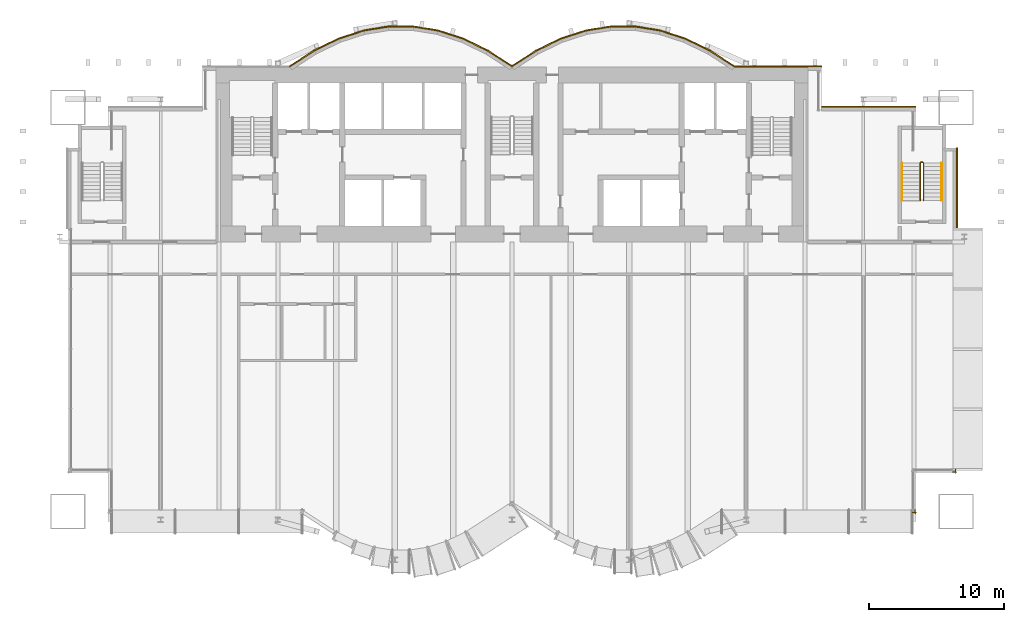
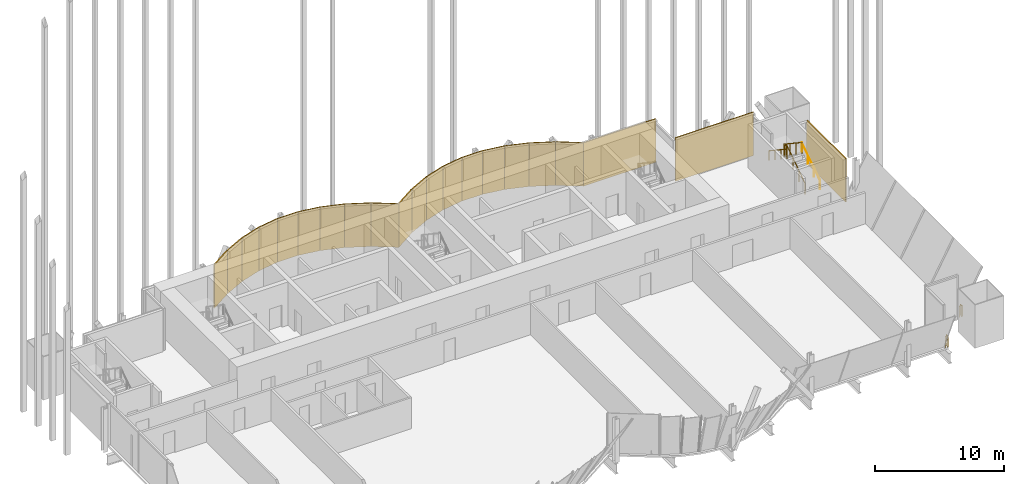
# One storey, part 33 of 33: 21 coverings, 5 railings.
"""IFC4 building model written with IfcOpenShell, lengths in metres."""

import ifcopenshell
import ifcopenshell.guid

model = None  # the IFC model being written
_history = None  # IfcOwnerHistory: only IFC2X3 demands one
_inside = {}  # id of a spatial element -> (the spatial element, [elements in it])
_under = {}  # id of a project, library or spatial element -> (it, [spatial elements below it])
_declared = {}  # id of a project -> (the project, [libraries it declares])
_typed = {}  # id of a type object -> (the type object, [elements of that type])
_made_of = {}  # id of a material, layer set ... -> (it, [elements and type objects made of it])


def new_model(schema):
    """Start an empty IFC model of exactly this schema.

    Asked for "IFC4X3", IfcOpenShell would pick the latest addendum, in which some entities
    have other attributes; the version numbers below select the first issue.
    IFC2X3 requires an IfcOwnerHistory on every rooted entity: one is made here for all.
    """
    global model, _history
    if schema == "IFC4X3":
        model = ifcopenshell.file(schema_version=(4, 3, 0, 0))
    else:
        model = ifcopenshell.file(schema=schema)
    _inside.clear()
    _under.clear()
    _declared.clear()
    _typed.clear()
    _made_of.clear()
    _history = None
    if model.schema == "IFC2X3":
        org = make("IfcOrganization", Name="unknown")
        user = make(
            "IfcPersonAndOrganization",
            ThePerson=make("IfcPerson", FamilyName="unknown"),
            TheOrganization=org,
        )
        app = make(
            "IfcApplication",
            ApplicationDeveloper=org,
            Version="unknown",
            ApplicationFullName="unknown",
            ApplicationIdentifier="unknown",
        )
        _history = make(
            "IfcOwnerHistory",
            OwningUser=user,
            OwningApplication=app,
            ChangeAction="ADDED",
            CreationDate=0,
        )
    return model


def make(cls, **values):
    """One entity of the class cls with the attributes given. An attribute that is None is left unset."""
    return model.create_entity(
        cls, **{name: value for name, value in values.items() if value is not None}
    )


def rooted(cls, **values):
    """An entity with a GlobalId (a new one), such as an element, a storey or a relation."""
    return make(cls, GlobalId=ifcopenshell.guid.new(), OwnerHistory=_history, **values)


def si_unit(unit_type, name, prefix=None):
    """IfcSIUnit, for example si_unit("LENGTHUNIT", "METRE", prefix="MILLI")."""
    return make("IfcSIUnit", UnitType=unit_type, Prefix=prefix, Name=name)


def assignment(units):
    """IfcUnitAssignment: the units of a project."""
    return None if units is None else make("IfcUnitAssignment", Units=units)


def point(xyz):
    """IfcCartesianPoint."""
    return None if xyz is None else make("IfcCartesianPoint", Coordinates=xyz)


def direction(xyz):
    """IfcDirection."""
    return None if xyz is None else make("IfcDirection", DirectionRatios=xyz)


def frame(location, z_axis=None, x_axis=None):
    """IfcAxis2Placement3D, a coordinate frame: its origin and axes. An axis left out is left unset."""
    return make(
        "IfcAxis2Placement3D",
        Location=point(location),
        Axis=direction(z_axis),
        RefDirection=direction(x_axis),
    )


def frame_2d(location, x_axis=None):
    """IfcAxis2Placement2D, a coordinate frame in the plane: its origin and x axis."""
    return make(
        "IfcAxis2Placement2D", Location=point(location), RefDirection=direction(x_axis)
    )


def origin():
    """The frame at (0, 0, 0) with its axes left unset."""
    return frame((0.0, 0.0, 0.0))


def origin_2d():
    """The frame at (0, 0) in the plane with its x axis left unset."""
    return frame_2d((0.0, 0.0))


def place(relative_to, where):
    """IfcLocalPlacement: puts the frame where relative to a parent placement (None: the world)."""
    return make(
        "IfcLocalPlacement", PlacementRelTo=relative_to, RelativePlacement=where
    )


def context(
    kind, dimensions, precision=None, world=None, true_north=None, identifier=None
):
    """IfcGeometricRepresentationContext, for example the 3D "Model" context."""
    return make(
        "IfcGeometricRepresentationContext",
        ContextIdentifier=identifier,
        ContextType=kind,
        CoordinateSpaceDimension=dimensions,
        Precision=precision,
        WorldCoordinateSystem=world,
        TrueNorth=true_north,
    )


def subcontext(parent, identifier, kind, view, scale=None):
    """IfcGeometricRepresentationSubContext, for example "Body" below "Model"."""
    return make(
        "IfcGeometricRepresentationSubContext",
        ContextIdentifier=identifier,
        ContextType=kind,
        ParentContext=parent,
        TargetScale=scale,
        TargetView=view,
    )


def project(units=None, contexts=None):
    """IfcProject with its units and contexts."""
    return rooted(
        "IfcProject",
        Name="project",
        RepresentationContexts=contexts,
        UnitsInContext=assignment(units),
    )


def spatial(cls, under=None, at=None, **own):
    """A site, building, storey or space (cls), placed at a placement, below another one or the project."""
    s = rooted(cls, ObjectPlacement=at, **own)
    if under is not None:
        _under.setdefault(under.id(), (under, []))[1].append(s)
    return s


def profile(cls, at=None, kind="AREA", **sizes):
    """A parametric profile (cls). Its sizes go by their IFC names, for example OverallWidth=200.0."""
    return make(cls, ProfileType=kind, Position=at, **sizes)


def rectangle(**sizes):
    """IfcRectangleProfileDef."""
    return profile("IfcRectangleProfileDef", **sizes)


def circle(**sizes):
    """IfcCircleProfileDef."""
    return profile("IfcCircleProfileDef", **sizes)


def extrude(swept, where, along, depth):
    """IfcExtrudedAreaSolid: the profile swept, set in the frame where, extruded along a direction by depth."""
    return make(
        "IfcExtrudedAreaSolid",
        SweptArea=swept,
        Position=where,
        ExtrudedDirection=direction(along),
        Depth=depth,
    )


def shape(context_of_items, identifier, shape_type, items):
    """IfcShapeRepresentation: the items that make up one representation, for example the "Body"."""
    return make(
        "IfcShapeRepresentation",
        ContextOfItems=context_of_items,
        RepresentationIdentifier=identifier,
        RepresentationType=shape_type,
        Items=items,
    )


def material(Name=None, Category=None):
    """IfcMaterial."""
    return make("IfcMaterial", Name=Name, Category=Category)


def layer(
    of_material, thickness, ventilated=None, Name=None, Category=None, Priority=None
):
    """IfcMaterialLayer: one layer of a wall or slab, of a material (None: an air gap)."""
    return make(
        "IfcMaterialLayer",
        Material=of_material,
        LayerThickness=thickness,
        IsVentilated=ventilated,
        Name=Name,
        Category=Category,
        Priority=Priority,
    )


def layer_set(layers, Name=None):
    """IfcMaterialLayerSet."""
    return make("IfcMaterialLayerSet", MaterialLayers=layers, LayerSetName=Name)


def made_of(thing, what):
    """Note that an element or type object is made of a material, layer set ...; save() writes the relation."""
    if what is not None:
        _made_of.setdefault(what.id(), (what, []))[1].append(thing)
    return thing


def type_object(cls, material=None, **own):
    """A type object (cls), such as IfcWallType, which elements share."""
    return made_of(rooted(cls, **own), material)


def element(
    cls,
    number,
    at=None,
    inside=None,
    cuts=None,
    type_object=None,
    material=None,
    context=None,
    identifier="Body",
    shape_type=None,
    held_by="IfcProductDefinitionShape",
    body=None,
    shapes=None,
    **own,
):
    """One element of the class cls, such as IfcWall. Its Tag is "e" and its number.

    at: its placement. inside: the storey or other place that contains it. cuts: it is an
    opening in that element (IfcRelVoidsElement). A single representation is given by context,
    identifier, shape_type and body (its items); several are given by shapes. held_by: the class
    of the entity that holds the representations. save() writes the other relations.
    """
    e = rooted(cls, Tag="e%d" % number, ObjectPlacement=at, **own)
    if body is not None:
        shapes = [shape(context, identifier, shape_type, body)]
    if shapes is not None:
        e.Representation = make(held_by, Representations=shapes)
    if inside is not None:
        _inside.setdefault(inside.id(), (inside, []))[1].append(e)
    if cuts is not None:
        rooted(
            "IfcRelVoidsElement", RelatingBuildingElement=cuts, RelatedOpeningElement=e
        )
    if type_object is not None:
        _typed.setdefault(type_object.id(), (type_object, []))[1].append(e)
    return made_of(e, material)


def aggregate(whole, parts):
    """IfcRelAggregates: a whole, such as a stair, and the parts it consists of."""
    return rooted("IfcRelAggregates", RelatingObject=whole, RelatedObjects=parts)


def save(model, path):
    """Write the relations noted so far, then the file.

    IfcRelAggregates (storeys below a building ...), IfcRelContainedInSpatialStructure (elements
    in a storey), IfcRelDefinesByType, IfcRelAssociatesMaterial and IfcRelDeclares: one each for
    every whole, place, type object, material and project.
    """
    for whole, parts in _under.values():
        aggregate(whole, parts)
    for where, things in _inside.values():
        rooted(
            "IfcRelContainedInSpatialStructure",
            RelatedElements=things,
            RelatingStructure=where,
        )
    for kind, things in _typed.values():
        rooted("IfcRelDefinesByType", RelatedObjects=things, RelatingType=kind)
    for what, things in _made_of.values():
        rooted("IfcRelAssociatesMaterial", RelatedObjects=things, RelatingMaterial=what)
    for by, libraries in _declared.values():
        rooted("IfcRelDeclares", RelatingContext=by, RelatedDefinitions=libraries)
    model.write(path)


model = new_model("IFC4")

# Units and contexts
model_context = context("Model", 3, precision=1e-05, world=origin(), true_north=direction((0.0, 1.0)))
body_context = subcontext(model_context, "Body", "Model", "MODEL_VIEW")
ifc_project = project(units=[si_unit("LENGTHUNIT", "METRE"), si_unit("AREAUNIT", "SQUARE_METRE"), si_unit("VOLUMEUNIT", "CUBIC_METRE"), si_unit("PLANEANGLEUNIT", "RADIAN"), si_unit("MASSUNIT", "GRAM", prefix="KILO")], contexts=[model_context])

# Site, building, storey
site_placement = place(None, origin())
site = spatial("IfcSite", under=ifc_project, at=site_placement, CompositionType="ELEMENT")
building_placement = place(site_placement, origin())
building = spatial("IfcBuilding", under=site, at=building_placement, Name="Bicima Exchange Tower", CompositionType="ELEMENT")
storey_placement = place(building_placement, frame((0.0, 0.0, 140.39990234375)))
storey = spatial("IfcBuildingStorey", under=building, at=storey_placement, Name="L30", CompositionType="ELEMENT", Elevation=140.39990234375)

# Coverings
ifc_material_1 = material(Name="Bronze metal cladding")
ifc_layer_1 = layer(ifc_material_1, 0.004)
ifc_material_2 = material(Name="Ventilated cavity")
ifc_layer_2 = layer(ifc_material_2, 0.06)
ifc_material_3 = material(Name="Galvanised steel rail and mineral wool", Category="steel")
ifc_layer_3 = layer(ifc_material_3, 0.036)
ifc_layer_set = layer_set([ifc_layer_1, ifc_layer_2, ifc_layer_3], Name="Ventilated cavity")
covering_type = type_object("IfcCoveringType", Name="Bronze metal cladding panel 100", PredefinedType="CLADDING", material=ifc_layer_set)
covering_1_placement = place(storey_placement, frame((33.050048828125, -9.0, -0.14990234375), z_axis=(0.0, 0.0, 1.0), x_axis=(0.0, 1.0, 0.0)))
element("IfcCovering", 1, at=covering_1_placement, inside=storey, type_object=covering_type, Name="Bronze cladding L30 2.1", PredefinedType="CLADDING", context=body_context, shape_type="SweptSolid", body=[
    extrude(rectangle(XDim=6.0, YDim=0.10009765625, at=origin_2d()), origin(), (0.0, 0.0, 1.0), 4.10009765625),
])
covering_2_placement = place(storey_placement, frame((26.5, -2.949951171875, -0.14990234375), z_axis=(0.0, 0.0, 1.0), x_axis=(-1.0, 0.0, 0.0)))
element("IfcCovering", 2, at=covering_2_placement, inside=storey, type_object=covering_type, Name="Bronze cladding L30 5.1", PredefinedType="CLADDING", context=body_context, shape_type="SweptSolid", body=[
    extrude(rectangle(XDim=7.0, YDim=0.10009765625, at=origin_2d()), origin(), (0.0, 0.0, 1.0), 4.10009765625),
])
covering_3_placement = place(storey_placement, frame((19.75, 0.050048828125, -0.14990234375), z_axis=(0.0, 0.0, 1.0), x_axis=(-1.0, 0.0, 0.0)))
element("IfcCovering", 3, at=covering_3_placement, inside=storey, type_object=covering_type, Name="Bronze cladding L30 7.1", PredefinedType="CLADDING", context=body_context, shape_type="SweptSolid", body=[
    extrude(rectangle(XDim=6.5, YDim=0.10009765625, at=origin_2d()), origin(), (0.0, 0.0, 1.0), 4.10009765625),
])
covering_4_placement = place(storey_placement, frame((15.610595703125, 0.634521484375, -0.14990234375), z_axis=(0.0, 0.0, 1.0), x_axis=(-0.839790466384, 0.542910648791, 0.0)))
element("IfcCovering", 4, at=covering_4_placement, inside=storey, type_object=covering_type, Name="Bronze cladding L30 8.1", PredefinedType="CLADDING", context=body_context, shape_type="SweptSolid", body=[
    extrude(rectangle(XDim=2.18310546875, YDim=0.10009765625, at=origin_2d()), origin(), (0.0, 0.0, 1.0), 4.10009765625),
])
covering_5_placement = place(storey_placement, frame((13.771728515625, 1.674560546875, -0.14990234375), z_axis=(0.0, 0.0, 1.0), x_axis=(-0.899818346812, 0.436264762204, 0.0)))
element("IfcCovering", 5, at=covering_5_placement, inside=storey, type_object=covering_type, Name="Bronze cladding L30 9.1", PredefinedType="CLADDING", context=body_context, shape_type="SweptSolid", body=[
    extrude(rectangle(XDim=2.03759765625, YDim=0.10009765625, at=origin_2d()), origin(), (0.0, 0.0, 1.0), 4.10009765625),
])
covering_6_placement = place(storey_placement, frame((11.931884765625, 2.41796875, -0.14990234375), z_axis=(0.0, 0.0, 1.0), x_axis=(-0.951524642381, 0.307572519808, 0.0)))
element("IfcCovering", 6, at=covering_6_placement, inside=storey, type_object=covering_type, Name="Bronze cladding L30 10.1", PredefinedType="CLADDING", context=body_context, shape_type="SweptSolid", body=[
    extrude(rectangle(XDim=1.9267578125, YDim=0.10009765625, at=origin_2d()), origin(), (0.0, 0.0, 1.0), 4.10009765625),
])
covering_7_placement = place(storey_placement, frame((10.09130859375, 2.8642578125, -0.14990234375), z_axis=(0.0, 0.0, 1.0), x_axis=(-0.987189786347, 0.159550386184, 0.0)))
element("IfcCovering", 7, at=covering_7_placement, inside=storey, type_object=covering_type, Name="Bronze cladding L30 11.1", PredefinedType="CLADDING", context=body_context, shape_type="SweptSolid", body=[
    extrude(rectangle(XDim=1.857177734375, YDim=0.10009765625, at=origin_2d()), origin(), (0.0, 0.0, 1.0), 4.10009765625),
])
covering_8_placement = place(storey_placement, frame((8.25, 3.012939453125, -0.14990234375), z_axis=(0.0, 0.0, 1.0), x_axis=(-1.0, 0.0, 0.0)))
element("IfcCovering", 8, at=covering_8_placement, inside=storey, type_object=covering_type, Name="Bronze cladding L30 12.1", PredefinedType="CLADDING", context=body_context, shape_type="SweptSolid", body=[
    extrude(rectangle(XDim=1.83349609375, YDim=0.10009765625, at=origin_2d()), origin(), (0.0, 0.0, 1.0), 4.10009765625),
])
covering_9_placement = place(storey_placement, frame((6.40869140625, 2.8642578125, -0.14990234375), z_axis=(0.0, 0.0, 1.0), x_axis=(-0.987189786347, -0.159550386184, 0.0)))
element("IfcCovering", 9, at=covering_9_placement, inside=storey, type_object=covering_type, Name="Bronze cladding L30 13.1", PredefinedType="CLADDING", context=body_context, shape_type="SweptSolid", body=[
    extrude(rectangle(XDim=1.857177734375, YDim=0.10009765625, at=origin_2d()), origin(), (0.0, 0.0, 1.0), 4.10009765625),
])
covering_10_placement = place(storey_placement, frame((4.568115234375, 2.41796875, -0.14990234375), z_axis=(0.0, 0.0, 1.0), x_axis=(-0.951524642381, -0.307572519808, 0.0)))
element("IfcCovering", 10, at=covering_10_placement, inside=storey, type_object=covering_type, Name="Bronze cladding L30 14.1", PredefinedType="CLADDING", context=body_context, shape_type="SweptSolid", body=[
    extrude(rectangle(XDim=1.9267578125, YDim=0.10009765625, at=origin_2d()), origin(), (0.0, 0.0, 1.0), 4.10009765625),
])
covering_11_placement = place(storey_placement, frame((2.728271484375, 1.674560546875, -0.14990234375), z_axis=(0.0, 0.0, 1.0), x_axis=(-0.899818346812, -0.436264762204, 0.0)))
element("IfcCovering", 11, at=covering_11_placement, inside=storey, type_object=covering_type, Name="Bronze cladding L30 15.1", PredefinedType="CLADDING", context=body_context, shape_type="SweptSolid", body=[
    extrude(rectangle(XDim=2.03759765625, YDim=0.10009765625, at=origin_2d()), origin(), (0.0, 0.0, 1.0), 4.10009765625),
])
for number, where, z_axis, x_axis, name in (
    (12, (0.889404296875, 0.634521484375, -0.14990234375), (0.0, 0.0, 1.0), (-0.839790466384, -0.542910648791, 0.0), "Bronze cladding L30 16.1"),
    (13, (-0.889404296875, 0.634521484375, -0.14990234375), (0.0, 0.0, 1.0), (-0.839790466384, 0.542910648791, 0.0), "Bronze cladding L30 17.1"),
):
    element("IfcCovering", number, at=place(storey_placement, frame(where, z_axis=z_axis, x_axis=x_axis)), inside=storey, type_object=covering_type, Name=name, PredefinedType="CLADDING", context=body_context, shape_type="SweptSolid", body=[
        extrude(rectangle(XDim=2.18310546875, YDim=0.10009765625, at=origin_2d()), origin(), (0.0, 0.0, 1.0), 4.10009765625),
    ])
covering_12_placement = place(storey_placement, frame((-2.728271484375, 1.674560546875, -0.14990234375), z_axis=(0.0, 0.0, 1.0), x_axis=(-0.899818346812, 0.436264762204, 0.0)))
element("IfcCovering", 14, at=covering_12_placement, inside=storey, type_object=covering_type, Name="Bronze cladding L30 18.1", PredefinedType="CLADDING", context=body_context, shape_type="SweptSolid", body=[
    extrude(rectangle(XDim=2.03759765625, YDim=0.10009765625, at=origin_2d()), origin(), (0.0, 0.0, 1.0), 4.10009765625),
])
covering_13_placement = place(storey_placement, frame((-4.568115234375, 2.41796875, -0.14990234375), z_axis=(0.0, 0.0, 1.0), x_axis=(-0.951524642381, 0.307572519808, 0.0)))
element("IfcCovering", 15, at=covering_13_placement, inside=storey, type_object=covering_type, Name="Bronze cladding L30 19.1", PredefinedType="CLADDING", context=body_context, shape_type="SweptSolid", body=[
    extrude(rectangle(XDim=1.9267578125, YDim=0.10009765625, at=origin_2d()), origin(), (0.0, 0.0, 1.0), 4.10009765625),
])
covering_14_placement = place(storey_placement, frame((-6.40869140625, 2.8642578125, -0.14990234375), z_axis=(0.0, 0.0, 1.0), x_axis=(-0.987189786347, 0.159550386184, 0.0)))
element("IfcCovering", 16, at=covering_14_placement, inside=storey, type_object=covering_type, Name="Bronze cladding L30 20.1", PredefinedType="CLADDING", context=body_context, shape_type="SweptSolid", body=[
    extrude(rectangle(XDim=1.857177734375, YDim=0.10009765625, at=origin_2d()), origin(), (0.0, 0.0, 1.0), 4.10009765625),
])
covering_15_placement = place(storey_placement, frame((-8.25, 3.012939453125, -0.14990234375), z_axis=(0.0, 0.0, 1.0), x_axis=(-1.0, 0.0, 0.0)))
element("IfcCovering", 17, at=covering_15_placement, inside=storey, type_object=covering_type, Name="Bronze cladding L30 21.1", PredefinedType="CLADDING", context=body_context, shape_type="SweptSolid", body=[
    extrude(rectangle(XDim=1.83349609375, YDim=0.10009765625, at=origin_2d()), origin(), (0.0, 0.0, 1.0), 4.10009765625),
])
covering_16_placement = place(storey_placement, frame((-10.09130859375, 2.8642578125, -0.14990234375), z_axis=(0.0, 0.0, 1.0), x_axis=(-0.987189786347, -0.159550386184, 0.0)))
element("IfcCovering", 18, at=covering_16_placement, inside=storey, type_object=covering_type, Name="Bronze cladding L30 22.1", PredefinedType="CLADDING", context=body_context, shape_type="SweptSolid", body=[
    extrude(rectangle(XDim=1.857177734375, YDim=0.10009765625, at=origin_2d()), origin(), (0.0, 0.0, 1.0), 4.10009765625),
])
covering_17_placement = place(storey_placement, frame((-11.931884765625, 2.41796875, -0.14990234375), z_axis=(0.0, 0.0, 1.0), x_axis=(-0.951524642381, -0.307572519808, 0.0)))
element("IfcCovering", 19, at=covering_17_placement, inside=storey, type_object=covering_type, Name="Bronze cladding L30 23.1", PredefinedType="CLADDING", context=body_context, shape_type="SweptSolid", body=[
    extrude(rectangle(XDim=1.9267578125, YDim=0.10009765625, at=origin_2d()), origin(), (0.0, 0.0, 1.0), 4.10009765625),
])
covering_18_placement = place(storey_placement, frame((-13.771728515625, 1.674560546875, -0.14990234375), z_axis=(0.0, 0.0, 1.0), x_axis=(-0.899818346812, -0.436264762204, 0.0)))
element("IfcCovering", 20, at=covering_18_placement, inside=storey, type_object=covering_type, Name="Bronze cladding L30 24.1", PredefinedType="CLADDING", context=body_context, shape_type="SweptSolid", body=[
    extrude(rectangle(XDim=2.03759765625, YDim=0.10009765625, at=origin_2d()), origin(), (0.0, 0.0, 1.0), 4.10009765625),
])
covering_19_placement = place(storey_placement, frame((-15.610595703125, 0.634521484375, -0.14990234375), z_axis=(0.0, 0.0, 1.0), x_axis=(-0.839790466384, -0.542910648791, 0.0)))
element("IfcCovering", 21, at=covering_19_placement, inside=storey, type_object=covering_type, Name="Bronze cladding L30 25.1", PredefinedType="CLADDING", context=body_context, shape_type="SweptSolid", body=[
    extrude(rectangle(XDim=2.18310546875, YDim=0.10009765625, at=origin_2d()), origin(), (0.0, 0.0, 1.0), 4.10009765625),
])

# Railings
ifc_material_4 = material(Name="Stainless steel and bonded safety glass", Category="steel")
railing_type_1 = type_object("IfcRailingType", Name="Edge guard 1100", PredefinedType="GUARDRAIL", material=ifc_material_4)
railing_1_placement = place(storey_placement, frame((29.949951171875, -32.89404296875, 0.0)))
element("IfcRailing", 22, at=railing_1_placement, inside=storey, type_object=railing_type_1, Name="Edge guard L30 145", PredefinedType="GUARDRAIL", context=body_context, shape_type="SweptSolid", body=[
    extrude(circle(Radius=0.02392578125, at=origin_2d()), frame((0.0, 0.0, 1.076171875), z_axis=(0.0, -1.0, 0.0), x_axis=(1.0, 0.0, 0.0)), (0.0, 0.0, 1.0), 0.25),
    extrude(circle(Radius=0.02392578125, at=origin_2d()), frame((0.0, -0.25, 1.076171875), z_axis=(0.707106781187, 0.707106781187, 0.0), x_axis=(-0.707106781187, 0.707106781187, 0.0)), (0.0, 0.0, 1.0), 0.07080078125),
    extrude(circle(Radius=0.02392578125, at=origin_2d()), frame((0.050048828125, -0.199951171875, 1.076171875), z_axis=(-1.0, 0.0, 0.0), x_axis=(0.0, -1.0, 0.0)), (0.0, 0.0, 1.0), 0.248046875),
    extrude(circle(Radius=0.02099609375, at=origin_2d()), origin(), (0.0, 0.0, 1.0), 1.052001953125),
    extrude(circle(Radius=0.02099609375, at=origin_2d()), frame((0.0, -0.25, 0.0)), (0.0, 0.0, 1.0), 1.052001953125),
    extrude(circle(Radius=0.02099609375, at=origin_2d()), frame((0.050048828125, -0.199951171875, 0.0)), (0.0, 0.0, 1.0), 1.052001953125),
    extrude(circle(Radius=0.02099609375, at=origin_2d()), frame((-0.197998046875, -0.199951171875, 0.0)), (0.0, 0.0, 1.0), 1.052001953125),
])
railing_2_placement = place(storey_placement, frame((32.949951171875, -29.89501953125, 0.0)))
element("IfcRailing", 23, at=railing_2_placement, inside=storey, type_object=railing_type_1, Name="Edge guard L30 148", PredefinedType="GUARDRAIL", context=body_context, shape_type="SweptSolid", body=[
    extrude(circle(Radius=0.02392578125, at=origin_2d()), frame((0.0, 0.0, 1.076171875), z_axis=(0.0, -1.0, 0.0), x_axis=(1.0, 0.0, 0.0)), (0.0, 0.0, 1.0), 0.2490234375),
    extrude(circle(Radius=0.02392578125, at=origin_2d()), frame((0.0, -0.2490234375, 1.076171875), z_axis=(0.707106781187, 0.707106781187, 0.0), x_axis=(-0.707106781187, 0.707106781187, 0.0)), (0.0, 0.0, 1.0), 0.07080078125),
    extrude(circle(Radius=0.02392578125, at=origin_2d()), frame((0.050048828125, -0.198974609375, 1.076171875), z_axis=(-1.0, 0.0, 0.0), x_axis=(0.0, -1.0, 0.0)), (0.0, 0.0, 1.0), 0.25),
    extrude(circle(Radius=0.02099609375, at=origin_2d()), origin(), (0.0, 0.0, 1.0), 1.052001953125),
    extrude(circle(Radius=0.02099609375, at=origin_2d()), frame((0.0, -0.2490234375, 0.0)), (0.0, 0.0, 1.0), 1.052001953125),
    extrude(circle(Radius=0.02099609375, at=origin_2d()), frame((0.050048828125, -0.198974609375, 0.0)), (0.0, 0.0, 1.0), 1.052001953125),
    extrude(circle(Radius=0.02099609375, at=origin_2d()), frame((-0.199951171875, -0.198974609375, 0.0)), (0.0, 0.0, 1.0), 1.052001953125),
])
ifc_material_5 = material(Name="Stainless steel", Category="steel")
railing_type_2 = type_object("IfcRailingType", Name="Stair guard 1100", PredefinedType="GUARDRAIL", material=ifc_material_5)
railing_3_placement = place(storey_placement, frame((30.574951171875, -9.925048828125, 0.1865234375)))
element("IfcRailing", 24, at=railing_3_placement, inside=storey, type_object=railing_type_2, Name="L30 ST-EE stair guard 1", PredefinedType="GUARDRAIL", context=body_context, shape_type="SweptSolid", body=[
    extrude(circle(Radius=0.02392578125, at=origin_2d()), frame((0.0, 0.0, 1.076171875), z_axis=(0.0, 0.832485552168, 0.554046753832), x_axis=(-1.0, 0.0, 0.0)), (0.0, 0.0, 1.0), 3.363525390625),
    extrude(circle(Radius=0.02392578125, at=origin_2d()), frame((0.0, 2.800048828125, 2.939453125), z_axis=(-0.707106781187, 0.707106781187, 0.0), x_axis=(-0.707106781187, -0.707106781187, 0.0)), (0.0, 0.0, 1.0), 0.07080078125),
    extrude(circle(Radius=0.02392578125, at=origin_2d()), frame((-0.050048828125, 2.85009765625, 2.939453125), z_axis=(-1.0, 0.0, 0.0), x_axis=(0.0, -1.0, 0.0)), (0.0, 0.0, 1.0), 0.14990234375),
    extrude(circle(Radius=0.02392578125, at=origin_2d()), frame((-0.199951171875, 2.85009765625, 2.939453125), z_axis=(-0.250869701741, -0.250869701741, 0.934948546978), x_axis=(0.707106781187, -0.707106781187, 0.0)), (0.0, 0.0, 1.0), 0.199462890625),
    extrude(circle(Radius=0.02392578125, at=origin_2d()), frame((-0.25, 2.800048828125, 3.1259765625), z_axis=(0.0, -0.832485552168, 0.554046753832), x_axis=(1.0, 0.0, 0.0)), (0.0, 0.0, 1.0), 3.363525390625),
    extrude(circle(Radius=0.02099609375, at=origin_2d()), origin(), (0.0, 0.0, 1.0), 1.052001953125),
    extrude(circle(Radius=0.02099609375, at=origin_2d()), frame((0.0, 0.933349609375, 0.62109375)), (0.0, 0.0, 1.0), 1.052001953125),
    extrude(circle(Radius=0.02099609375, at=origin_2d()), frame((0.0, 1.86669921875, 1.242431640625)), (0.0, 0.0, 1.0), 1.052001953125),
    extrude(circle(Radius=0.02099609375, at=origin_2d()), frame((0.0, 2.800048828125, 1.863525390625)), (0.0, 0.0, 1.0), 1.052001953125),
    extrude(circle(Radius=0.02099609375, at=origin_2d()), frame((-0.050048828125, 2.85009765625, 1.863525390625)), (0.0, 0.0, 1.0), 1.052001953125),
    extrude(circle(Radius=0.02099609375, at=origin_2d()), frame((-0.199951171875, 2.85009765625, 1.863525390625)), (0.0, 0.0, 1.0), 1.052001953125),
    extrude(circle(Radius=0.02099609375, at=origin_2d()), frame((-0.25, 2.800048828125, 2.050048828125)), (0.0, 0.0, 1.0), 1.052001953125),
    extrude(circle(Radius=0.02099609375, at=origin_2d()), frame((-0.25, 1.86669921875, 2.671142578125)), (0.0, 0.0, 1.0), 1.052001953125),
    extrude(circle(Radius=0.02099609375, at=origin_2d()), frame((-0.25, 0.933349609375, 3.29248046875)), (0.0, 0.0, 1.0), 1.052001953125),
    extrude(circle(Radius=0.02099609375, at=origin_2d()), frame((-0.25, 0.0, 3.91357421875)), (0.0, 0.0, 1.0), 1.052001953125),
])
railing_type_3 = type_object("IfcRailingType", Name="Stair handrail 900", PredefinedType="HANDRAIL", material=ifc_material_5)
railing_4_placement = place(storey_placement, frame((31.925048828125, -9.925048828125, 0.1865234375)))
element("IfcRailing", 25, at=railing_4_placement, inside=storey, type_object=railing_type_3, Name="L30 ST-EE stair handrail 1", PredefinedType="HANDRAIL", context=body_context, shape_type="SweptSolid", body=[
    extrude(circle(Radius=0.02392578125, at=origin_2d()), frame((0.0, 0.0, 0.8759765625), z_axis=(0.0, 0.832485552168, 0.554046753832), x_axis=(-1.0, 0.0, 0.0)), (0.0, 0.0, 1.0), 3.363525390625),
    extrude(circle(Radius=0.02099609375, at=origin_2d()), origin(), (0.0, 0.0, 1.0), 0.851806640625),
    extrude(circle(Radius=0.02099609375, at=origin_2d()), frame((0.0, 0.933349609375, 0.62109375)), (0.0, 0.0, 1.0), 0.851806640625),
    extrude(circle(Radius=0.02099609375, at=origin_2d()), frame((0.0, 1.86669921875, 1.242431640625)), (0.0, 0.0, 1.0), 0.851806640625),
    extrude(circle(Radius=0.02099609375, at=origin_2d()), frame((0.0, 2.800048828125, 1.863525390625)), (0.0, 0.0, 1.0), 0.851806640625),
])
railing_5_placement = place(storey_placement, frame((28.97509765625, -7.125, 2.27685546875)))
element("IfcRailing", 26, at=railing_5_placement, inside=storey, type_object=railing_type_3, Name="L30 ST-EE stair handrail 2", PredefinedType="HANDRAIL", context=body_context, shape_type="SweptSolid", body=[
    extrude(circle(Radius=0.02392578125, at=origin_2d()), frame((0.0, 0.0, 0.8759765625), z_axis=(0.0, -0.832485552168, 0.554046753832), x_axis=(1.0, 0.0, 0.0)), (0.0, 0.0, 1.0), 3.363525390625),
    extrude(circle(Radius=0.02099609375, at=origin_2d()), origin(), (0.0, 0.0, 1.0), 0.851806640625),
    extrude(circle(Radius=0.02099609375, at=origin_2d()), frame((0.0, -0.933349609375, 0.62109375)), (0.0, 0.0, 1.0), 0.851806640625),
    extrude(circle(Radius=0.02099609375, at=origin_2d()), frame((0.0, -1.86669921875, 1.242431640625)), (0.0, 0.0, 1.0), 0.851806640625),
    extrude(circle(Radius=0.02099609375, at=origin_2d()), frame((0.0, -2.800048828125, 1.863525390625)), (0.0, 0.0, 1.0), 0.851806640625),
])

save(model, "model.ifc")
